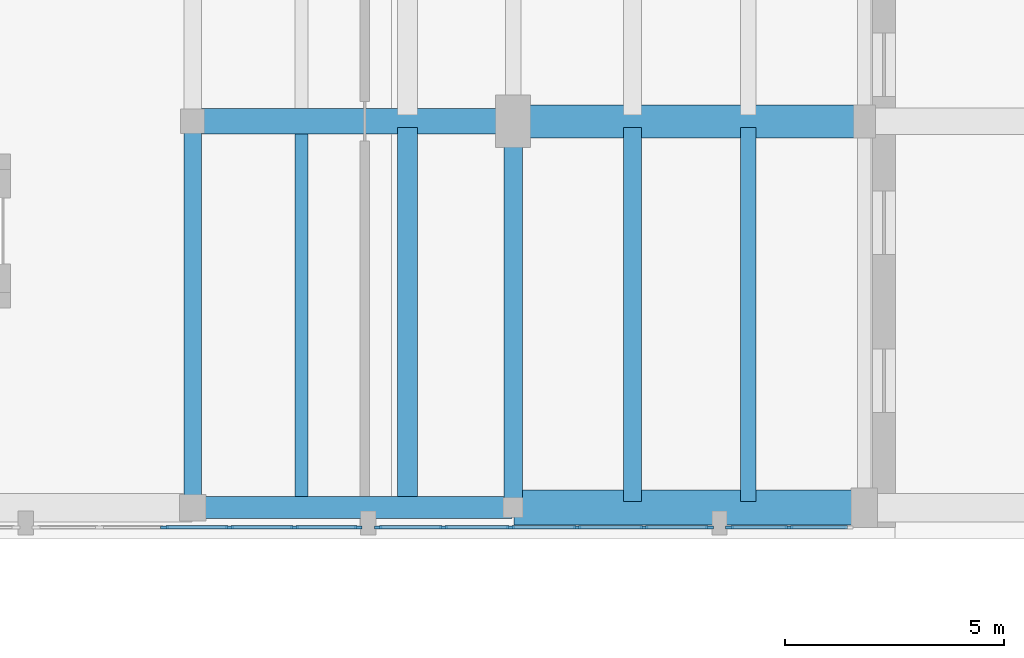
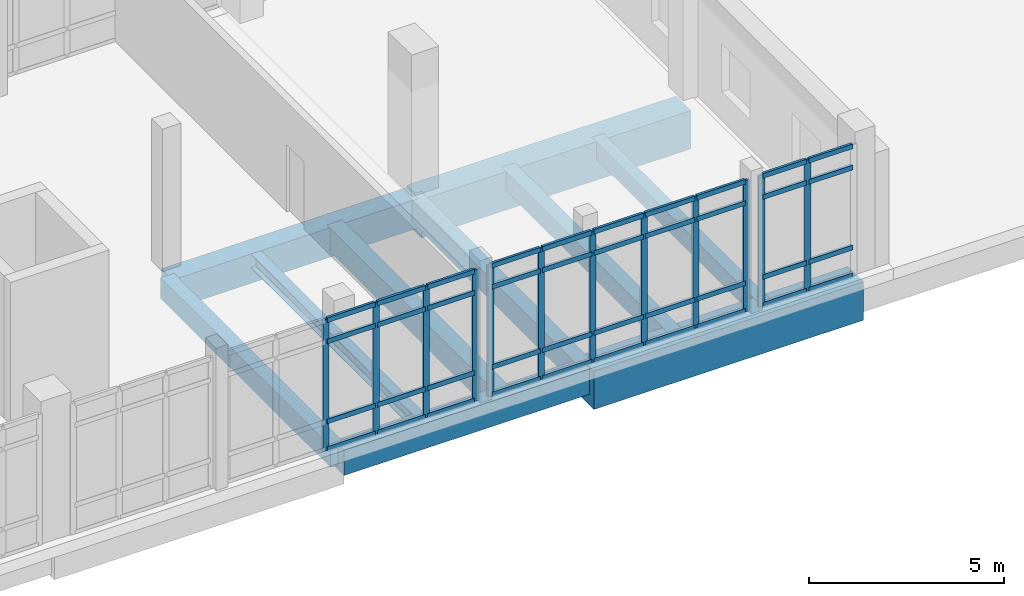
# One storey, part 43 of 89: 52 members, 10 beams, 3 elements without a shape of their own.
"""IFC4 building model written with IfcOpenShell, lengths in metres."""

from ifc_helpers import new_model, si_unit, direction, frame, origin, origin_2d, place, context, subcontext, project, spatial, rectangle, i_section, extrude, material, material_profile, profile_set, type_object, element, aggregate, save


model = new_model("IFC4")

# Units and contexts
model_context = context("Model", 3, precision=1e-05, world=origin(), true_north=direction((0.0, 1.0)))
body_context = subcontext(model_context, "Body", "Model", "MODEL_VIEW")
ifc_project = project(units=[si_unit("LENGTHUNIT", "METRE"), si_unit("AREAUNIT", "SQUARE_METRE"), si_unit("VOLUMEUNIT", "CUBIC_METRE"), si_unit("PLANEANGLEUNIT", "RADIAN"), si_unit("MASSUNIT", "GRAM", prefix="KILO")], contexts=[model_context])

# Site, building, storey
site_placement = place(None, origin())
site = spatial("IfcSite", under=ifc_project, at=site_placement, CompositionType="ELEMENT")
building_placement = place(site_placement, origin())
building = spatial("IfcBuilding", under=site, at=building_placement, Name="Soyqirgoq Riverine Aquarium", CompositionType="ELEMENT")
storey_placement = place(building_placement, frame((0.0, 0.0, 5.39990234375)))
storey = spatial("IfcBuildingStorey", under=building, at=storey_placement, Name="L02", CompositionType="ELEMENT", Elevation=5.39990234375)

# Beams
ifc_material_1 = material(Name="Concrete C40/50", Category="concrete")
ifc_material_profile_1 = material_profile(ifc_material_1, rectangle(XDim=0.39990234375, YDim=0.60009765625, at=origin_2d()), Name="RC 400x600")
ifc_profile_set_1 = profile_set([ifc_material_profile_1], Name="Concrete C40/50")
beam_type_1 = type_object("IfcBeamType", Name="Beam_RC_400x600", PredefinedType="JOIST", material=ifc_profile_set_1)
beam_1_placement = place(storey_placement, frame((148.02001953125, 56.840087890625, -0.64990234375), z_axis=(0.0, 1.0, 0.0), x_axis=(-1.0, 0.0, 0.0)))
element("IfcBeam", 1, at=beam_1_placement, inside=storey, type_object=beam_type_1, Name="V7 L02 Secondary Bay Joist 1341", PredefinedType="JOIST", context=body_context, shape_type="SweptSolid", body=[
    extrude(rectangle(XDim=0.39990234375, YDim=0.60009765625, at=origin_2d()), origin(), (0.0, 0.0, 1.0), 8.52001953125),
])
ifc_material_2 = material(Name="Concrete C40/50", Category="concrete")
ifc_material_profile_2 = material_profile(ifc_material_2, rectangle(XDim=0.39990234375, YDim=0.64990234375, at=origin_2d()), Name="RC 400x650")
ifc_profile_set_2 = profile_set([ifc_material_profile_2], Name="Concrete C40/50")
beam_type_2 = type_object("IfcBeamType", Name="Beam_RC_400x650", PredefinedType="BEAM", material=ifc_profile_set_2)
beam_2_placement = place(storey_placement, frame((138.0, 56.75, -0.6748046875), z_axis=(0.0, 1.0, 0.0), x_axis=(-1.0, 0.0, 0.0)))
element("IfcBeam", 2, at=beam_2_placement, inside=storey, type_object=beam_type_2, Name="V7 L02 North-South Frame Beam 1320", PredefinedType="BEAM", context=body_context, shape_type="SweptSolid", body=[
    extrude(rectangle(XDim=0.39990234375, YDim=0.64990234375, at=origin_2d()), origin(), (0.0, 0.0, 1.0), 8.699951171875),
])
ifc_material_3 = material(Name="Concrete C40/50", Category="concrete")
ifc_material_profile_3 = material_profile(ifc_material_3, rectangle(XDim=0.419921875, YDim=0.679931640625, at=origin_2d()), Name="RC 420x680")
ifc_profile_set_3 = profile_set([ifc_material_profile_3], Name="Concrete C40/50")
beam_type_3 = type_object("IfcBeamType", Name="Beam_RC_420x680", PredefinedType="BEAM", material=ifc_profile_set_3)
beam_3_placement = place(storey_placement, frame((145.300048828125, 56.75, -0.68994140625), z_axis=(0.0, 1.0, 0.0), x_axis=(-1.0, 0.0, 0.0)))
element("IfcBeam", 3, at=beam_3_placement, inside=storey, type_object=beam_type_3, Name="V7 L02 North-South Frame Beam 1325", PredefinedType="BEAM", context=body_context, shape_type="SweptSolid", body=[
    extrude(rectangle(XDim=0.419921875, YDim=0.679931640625, at=origin_2d()), origin(), (0.0, 0.0, 1.0), 8.699951171875),
])
ifc_material_4 = material(Name="Concrete C40/50", Category="concrete")
ifc_material_profile_4 = material_profile(ifc_material_4, rectangle(XDim=0.449951171875, YDim=0.75, at=origin_2d()), Name="RC 450x750")
ifc_profile_set_4 = profile_set([ifc_material_profile_4], Name="Concrete C40/50")
beam_type_4 = type_object("IfcBeamType", Name="Beam_RC_450x750", PredefinedType="BEAM", material=ifc_profile_set_4)
beam_4_placement = place(storey_placement, frame((142.89111328125, 56.840087890625, -0.724853515625), z_axis=(0.0, 1.0, 0.0), x_axis=(-1.0, 0.0, 0.0)))
element("IfcBeam", 4, at=beam_4_placement, inside=storey, type_object=beam_type_4, Name="V7 L02 Secondary Bay Joist 1340", PredefinedType="BEAM", context=body_context, shape_type="SweptSolid", body=[
    extrude(rectangle(XDim=0.449951171875, YDim=0.75, at=origin_2d()), origin(), (0.0, 0.0, 1.0), 8.52001953125),
])

# Curtain wall, members
ifc_material_5 = material(Name="Anodised aluminium thermally broken gallery curtain wall", Category="aluminium")
curtain_wall_type = type_object("IfcCurtainWallType", Name="CW_Pavilion_Ribbon", PredefinedType="NOTDEFINED", material=ifc_material_5)
curtain_wall_1_placement = place(storey_placement, origin())
curtain_wall_1 = element("IfcCurtainWall", 5, at=curtain_wall_1_placement, inside=storey, type_object=curtain_wall_type, Name="V7 L02 Curtain Wall 125", PredefinedType="NOTDEFINED")
ifc_material_6 = material(Name="Anodised aluminium 6063-T6", Category="aluminium")
ifc_material_profile_5 = material_profile(ifc_material_6, rectangle(XDim=0.06494140625, YDim=0.179931640625, at=origin_2d()), Name="ALU-M 65x180")
ifc_profile_set_5 = profile_set([ifc_material_profile_5], Name="Anodised aluminium 6063-T6")
member_type_1 = type_object("IfcMemberType", Name="CWMullion_65x180", PredefinedType="MULLION", material=ifc_profile_set_5)
member_1_placement = place(storey_placement, frame((151.58740234375, 56.25, 0.0), z_axis=(0.0, 0.0, 1.0), x_axis=(0.0, -1.0, 0.0)))
member_1 = element("IfcMember", 6, at=member_1_placement, type_object=member_type_1, Name="CW-05 mullion 2", PredefinedType="MULLION", context=body_context, shape_type="SweptSolid", body=[
    extrude(rectangle(XDim=0.06494140625, YDim=0.179931640625, at=origin_2d()), origin(), (0.0, 0.0, 1.0), 4.10009765625),
])
member_2_placement = place(storey_placement, frame((150.2275390625, 56.25, 0.0), z_axis=(0.0, 0.0, 1.0), x_axis=(0.0, -1.0, 0.0)))
member_2 = element("IfcMember", 7, at=member_2_placement, type_object=member_type_1, Name="CW-05 mullion 3", PredefinedType="MULLION", context=body_context, shape_type="SweptSolid", body=[
    extrude(rectangle(XDim=0.06494140625, YDim=0.179931640625, at=origin_2d()), origin(), (0.0, 0.0, 1.0), 4.10009765625),
])

curtain_wall_2_placement = place(storey_placement, origin())
curtain_wall_2 = element("IfcCurtainWall", 8, at=curtain_wall_2_placement, inside=storey, type_object=curtain_wall_type, Name="V7 L02 Curtain Wall 126", PredefinedType="NOTDEFINED")
member_3_placement = place(storey_placement, frame((149.7724609375, 56.25, 0.0), z_axis=(0.0, 0.0, 1.0), x_axis=(0.0, -1.0, 0.0)))
member_3 = element("IfcMember", 9, at=member_3_placement, type_object=member_type_1, Name="CW-05 mullion 1", PredefinedType="MULLION", context=body_context, shape_type="SweptSolid", body=[
    extrude(rectangle(XDim=0.06494140625, YDim=0.179931640625, at=origin_2d()), origin(), (0.0, 0.0, 1.0), 4.10009765625),
])
member_4_placement = place(storey_placement, frame((148.282958984375, 56.25, 0.0), z_axis=(0.0, 0.0, 1.0), x_axis=(0.0, -1.0, 0.0)))
member_4 = element("IfcMember", 10, at=member_4_placement, type_object=member_type_1, Name="CW-05 mullion 2", PredefinedType="MULLION", context=body_context, shape_type="SweptSolid", body=[
    extrude(rectangle(XDim=0.06494140625, YDim=0.179931640625, at=origin_2d()), origin(), (0.0, 0.0, 1.0), 4.10009765625),
])
member_5_placement = place(storey_placement, frame((146.760986328125, 56.25, 0.0), z_axis=(0.0, 0.0, 1.0), x_axis=(0.0, -1.0, 0.0)))
member_5 = element("IfcMember", 11, at=member_5_placement, type_object=member_type_1, Name="CW-05 mullion 3", PredefinedType="MULLION", context=body_context, shape_type="SweptSolid", body=[
    extrude(rectangle(XDim=0.06494140625, YDim=0.179931640625, at=origin_2d()), origin(), (0.0, 0.0, 1.0), 4.10009765625),
])
member_6_placement = place(storey_placement, frame((145.239013671875, 56.25, 0.0), z_axis=(0.0, 0.0, 1.0), x_axis=(0.0, -1.0, 0.0)))
member_6 = element("IfcMember", 12, at=member_6_placement, type_object=member_type_1, Name="CW-05 mullion 4", PredefinedType="MULLION", context=body_context, shape_type="SweptSolid", body=[
    extrude(rectangle(XDim=0.06494140625, YDim=0.179931640625, at=origin_2d()), origin(), (0.0, 0.0, 1.0), 4.10009765625),
])
member_7_placement = place(storey_placement, frame((143.717041015625, 56.25, 0.0), z_axis=(0.0, 0.0, 1.0), x_axis=(0.0, -1.0, 0.0)))
member_7 = element("IfcMember", 13, at=member_7_placement, type_object=member_type_1, Name="CW-05 mullion 5", PredefinedType="MULLION", context=body_context, shape_type="SweptSolid", body=[
    extrude(rectangle(XDim=0.06494140625, YDim=0.179931640625, at=origin_2d()), origin(), (0.0, 0.0, 1.0), 4.10009765625),
])
member_8_placement = place(storey_placement, frame((142.2275390625, 56.25, 0.0), z_axis=(0.0, 0.0, 1.0), x_axis=(0.0, -1.0, 0.0)))
member_8 = element("IfcMember", 14, at=member_8_placement, type_object=member_type_1, Name="CW-05 mullion 6", PredefinedType="MULLION", context=body_context, shape_type="SweptSolid", body=[
    extrude(rectangle(XDim=0.06494140625, YDim=0.179931640625, at=origin_2d()), origin(), (0.0, 0.0, 1.0), 4.10009765625),
])

curtain_wall_3_placement = place(storey_placement, origin())
curtain_wall_3 = element("IfcCurtainWall", 15, at=curtain_wall_3_placement, inside=storey, type_object=curtain_wall_type, Name="V7 L02 Curtain Wall 127", PredefinedType="NOTDEFINED")
member_9_placement = place(storey_placement, frame((141.7724609375, 56.25, 0.0), z_axis=(0.0, 0.0, 1.0), x_axis=(0.0, -1.0, 0.0)))
member_9 = element("IfcMember", 16, at=member_9_placement, type_object=member_type_1, Name="CW-05 mullion 1", PredefinedType="MULLION", context=body_context, shape_type="SweptSolid", body=[
    extrude(rectangle(XDim=0.06494140625, YDim=0.179931640625, at=origin_2d()), origin(), (0.0, 0.0, 1.0), 4.10009765625),
])
member_10_placement = place(storey_placement, frame((140.322998046875, 56.25, 0.0), z_axis=(0.0, 0.0, 1.0), x_axis=(0.0, -1.0, 0.0)))
member_10 = element("IfcMember", 17, at=member_10_placement, type_object=member_type_1, Name="CW-05 mullion 2", PredefinedType="MULLION", context=body_context, shape_type="SweptSolid", body=[
    extrude(rectangle(XDim=0.06494140625, YDim=0.179931640625, at=origin_2d()), origin(), (0.0, 0.0, 1.0), 4.10009765625),
])
member_11_placement = place(storey_placement, frame((138.841064453125, 56.25, 0.0), z_axis=(0.0, 0.0, 1.0), x_axis=(0.0, -1.0, 0.0)))
member_11 = element("IfcMember", 18, at=member_11_placement, type_object=member_type_1, Name="CW-05 mullion 3", PredefinedType="MULLION", context=body_context, shape_type="SweptSolid", body=[
    extrude(rectangle(XDim=0.06494140625, YDim=0.179931640625, at=origin_2d()), origin(), (0.0, 0.0, 1.0), 4.10009765625),
])
member_12_placement = place(storey_placement, frame((137.35888671875, 56.25, 0.0), z_axis=(0.0, 0.0, 1.0), x_axis=(0.0, -1.0, 0.0)))
member_12 = element("IfcMember", 19, at=member_12_placement, type_object=member_type_1, Name="CW-05 mullion 4", PredefinedType="MULLION", context=body_context, shape_type="SweptSolid", body=[
    extrude(rectangle(XDim=0.06494140625, YDim=0.179931640625, at=origin_2d()), origin(), (0.0, 0.0, 1.0), 4.10009765625),
])

# Member
ifc_material_7 = material(Name="Anodised aluminium 6063-T6", Category="aluminium")
ifc_material_profile_6 = material_profile(ifc_material_7, rectangle(XDim=0.074951171875, YDim=0.14990234375, at=origin_2d()), Name="ALU-T 75x150")
ifc_profile_set_6 = profile_set([ifc_material_profile_6], Name="Anodised aluminium 6063-T6")
member_type_2 = type_object("IfcMemberType", Name="CWTransom_75x150", PredefinedType="USERDEFINED", material=ifc_profile_set_6)
member_13_placement = place(storey_placement, frame((152.9150390625, 56.25, 0.03759765625), z_axis=(-1.0, 0.0, 0.0), x_axis=(0.0, -1.0, 0.0)))
member_13 = element("IfcMember", 20, at=member_13_placement, type_object=member_type_2, Name="CW-05 transom 1.1", ObjectType="TRANSOM", PredefinedType="USERDEFINED", context=body_context, shape_type="SweptSolid", body=[
    extrude(rectangle(XDim=0.074951171875, YDim=0.14990234375, at=origin_2d()), origin(), (0.0, 0.0, 1.0), 1.294921875),
])

member_14_placement = place(storey_placement, frame((152.9150390625, 56.25, 0.900146484375), z_axis=(-1.0, 0.0, 0.0), x_axis=(0.0, -1.0, 0.0)))
member_14 = element("IfcMember", 21, at=member_14_placement, type_object=member_type_2, Name="CW-05 transom 1.2", ObjectType="TRANSOM", PredefinedType="USERDEFINED", context=body_context, shape_type="SweptSolid", body=[
    extrude(rectangle(XDim=0.074951171875, YDim=0.14990234375, at=origin_2d()), origin(), (0.0, 0.0, 1.0), 1.294921875),
])

member_15_placement = place(storey_placement, frame((152.9150390625, 56.25, 3.400146484375), z_axis=(-1.0, 0.0, 0.0), x_axis=(0.0, -1.0, 0.0)))
member_15 = element("IfcMember", 22, at=member_15_placement, type_object=member_type_2, Name="CW-05 transom 1.3", ObjectType="TRANSOM", PredefinedType="USERDEFINED", context=body_context, shape_type="SweptSolid", body=[
    extrude(rectangle(XDim=0.074951171875, YDim=0.14990234375, at=origin_2d()), origin(), (0.0, 0.0, 1.0), 1.294921875),
])

member_16_placement = place(storey_placement, frame((152.9150390625, 56.25, 4.0625), z_axis=(-1.0, 0.0, 0.0), x_axis=(0.0, -1.0, 0.0)))
member_16 = element("IfcMember", 23, at=member_16_placement, type_object=member_type_2, Name="CW-05 transom 1.4", ObjectType="TRANSOM", PredefinedType="USERDEFINED", context=body_context, shape_type="SweptSolid", body=[
    extrude(rectangle(XDim=0.074951171875, YDim=0.14990234375, at=origin_2d()), origin(), (0.0, 0.0, 1.0), 1.294921875),
])

member_17_placement = place(storey_placement, frame((151.554931640625, 56.25, 0.03759765625), z_axis=(-1.0, 0.0, 0.0), x_axis=(0.0, -1.0, 0.0)))
member_17 = element("IfcMember", 24, at=member_17_placement, type_object=member_type_2, Name="CW-05 transom 2.1", ObjectType="TRANSOM", PredefinedType="USERDEFINED", context=body_context, shape_type="SweptSolid", body=[
    extrude(rectangle(XDim=0.074951171875, YDim=0.14990234375, at=origin_2d()), origin(), (0.0, 0.0, 1.0), 1.294921875),
])

member_18_placement = place(storey_placement, frame((151.554931640625, 56.25, 0.900146484375), z_axis=(-1.0, 0.0, 0.0), x_axis=(0.0, -1.0, 0.0)))
member_18 = element("IfcMember", 25, at=member_18_placement, type_object=member_type_2, Name="CW-05 transom 2.2", ObjectType="TRANSOM", PredefinedType="USERDEFINED", context=body_context, shape_type="SweptSolid", body=[
    extrude(rectangle(XDim=0.074951171875, YDim=0.14990234375, at=origin_2d()), origin(), (0.0, 0.0, 1.0), 1.294921875),
])

member_19_placement = place(storey_placement, frame((151.554931640625, 56.25, 3.400146484375), z_axis=(-1.0, 0.0, 0.0), x_axis=(0.0, -1.0, 0.0)))
member_19 = element("IfcMember", 26, at=member_19_placement, type_object=member_type_2, Name="CW-05 transom 2.3", ObjectType="TRANSOM", PredefinedType="USERDEFINED", context=body_context, shape_type="SweptSolid", body=[
    extrude(rectangle(XDim=0.074951171875, YDim=0.14990234375, at=origin_2d()), origin(), (0.0, 0.0, 1.0), 1.294921875),
])

member_20_placement = place(storey_placement, frame((151.554931640625, 56.25, 4.0625), z_axis=(-1.0, 0.0, 0.0), x_axis=(0.0, -1.0, 0.0)))
member_20 = element("IfcMember", 27, at=member_20_placement, type_object=member_type_2, Name="CW-05 transom 2.4", ObjectType="TRANSOM", PredefinedType="USERDEFINED", context=body_context, shape_type="SweptSolid", body=[
    extrude(rectangle(XDim=0.074951171875, YDim=0.14990234375, at=origin_2d()), origin(), (0.0, 0.0, 1.0), 1.294921875),
])

aggregate(curtain_wall_1, [member_1, member_2, member_13, member_14, member_15, member_16, member_17, member_18, member_19, member_20])

member_21_placement = place(storey_placement, frame((149.739990234375, 56.25, 0.03759765625), z_axis=(-1.0, 0.0, 0.0), x_axis=(0.0, -1.0, 0.0)))
member_21 = element("IfcMember", 28, at=member_21_placement, type_object=member_type_2, Name="CW-05 transom 1.1", ObjectType="TRANSOM", PredefinedType="USERDEFINED", context=body_context, shape_type="SweptSolid", body=[
    extrude(rectangle(XDim=0.074951171875, YDim=0.14990234375, at=origin_2d()), origin(), (0.0, 0.0, 1.0), 1.424560546875),
])

member_22_placement = place(storey_placement, frame((149.739990234375, 56.25, 0.900146484375), z_axis=(-1.0, 0.0, 0.0), x_axis=(0.0, -1.0, 0.0)))
member_22 = element("IfcMember", 29, at=member_22_placement, type_object=member_type_2, Name="CW-05 transom 1.2", ObjectType="TRANSOM", PredefinedType="USERDEFINED", context=body_context, shape_type="SweptSolid", body=[
    extrude(rectangle(XDim=0.074951171875, YDim=0.14990234375, at=origin_2d()), origin(), (0.0, 0.0, 1.0), 1.424560546875),
])

member_23_placement = place(storey_placement, frame((149.739990234375, 56.25, 3.400146484375), z_axis=(-1.0, 0.0, 0.0), x_axis=(0.0, -1.0, 0.0)))
member_23 = element("IfcMember", 30, at=member_23_placement, type_object=member_type_2, Name="CW-05 transom 1.3", ObjectType="TRANSOM", PredefinedType="USERDEFINED", context=body_context, shape_type="SweptSolid", body=[
    extrude(rectangle(XDim=0.074951171875, YDim=0.14990234375, at=origin_2d()), origin(), (0.0, 0.0, 1.0), 1.424560546875),
])

member_24_placement = place(storey_placement, frame((149.739990234375, 56.25, 4.0625), z_axis=(-1.0, 0.0, 0.0), x_axis=(0.0, -1.0, 0.0)))
member_24 = element("IfcMember", 31, at=member_24_placement, type_object=member_type_2, Name="CW-05 transom 1.4", ObjectType="TRANSOM", PredefinedType="USERDEFINED", context=body_context, shape_type="SweptSolid", body=[
    extrude(rectangle(XDim=0.074951171875, YDim=0.14990234375, at=origin_2d()), origin(), (0.0, 0.0, 1.0), 1.424560546875),
])

member_25_placement = place(storey_placement, frame((148.25048828125, 56.25, 0.03759765625), z_axis=(-1.0, 0.0, 0.0), x_axis=(0.0, -1.0, 0.0)))
member_25 = element("IfcMember", 32, at=member_25_placement, type_object=member_type_2, Name="CW-05 transom 2.1", ObjectType="TRANSOM", PredefinedType="USERDEFINED", context=body_context, shape_type="SweptSolid", body=[
    extrude(rectangle(XDim=0.074951171875, YDim=0.14990234375, at=origin_2d()), origin(), (0.0, 0.0, 1.0), 1.45703125),
])

member_26_placement = place(storey_placement, frame((148.25048828125, 56.25, 0.900146484375), z_axis=(-1.0, 0.0, 0.0), x_axis=(0.0, -1.0, 0.0)))
member_26 = element("IfcMember", 33, at=member_26_placement, type_object=member_type_2, Name="CW-05 transom 2.2", ObjectType="TRANSOM", PredefinedType="USERDEFINED", context=body_context, shape_type="SweptSolid", body=[
    extrude(rectangle(XDim=0.074951171875, YDim=0.14990234375, at=origin_2d()), origin(), (0.0, 0.0, 1.0), 1.45703125),
])

member_27_placement = place(storey_placement, frame((148.25048828125, 56.25, 3.400146484375), z_axis=(-1.0, 0.0, 0.0), x_axis=(0.0, -1.0, 0.0)))
member_27 = element("IfcMember", 34, at=member_27_placement, type_object=member_type_2, Name="CW-05 transom 2.3", ObjectType="TRANSOM", PredefinedType="USERDEFINED", context=body_context, shape_type="SweptSolid", body=[
    extrude(rectangle(XDim=0.074951171875, YDim=0.14990234375, at=origin_2d()), origin(), (0.0, 0.0, 1.0), 1.45703125),
])

member_28_placement = place(storey_placement, frame((148.25048828125, 56.25, 4.0625), z_axis=(-1.0, 0.0, 0.0), x_axis=(0.0, -1.0, 0.0)))
member_28 = element("IfcMember", 35, at=member_28_placement, type_object=member_type_2, Name="CW-05 transom 2.4", ObjectType="TRANSOM", PredefinedType="USERDEFINED", context=body_context, shape_type="SweptSolid", body=[
    extrude(rectangle(XDim=0.074951171875, YDim=0.14990234375, at=origin_2d()), origin(), (0.0, 0.0, 1.0), 1.45703125),
])

member_29_placement = place(storey_placement, frame((146.728515625, 56.25, 0.03759765625), z_axis=(-1.0, 0.0, 0.0), x_axis=(0.0, -1.0, 0.0)))
member_29 = element("IfcMember", 36, at=member_29_placement, type_object=member_type_2, Name="CW-05 transom 3.1", ObjectType="TRANSOM", PredefinedType="USERDEFINED", context=body_context, shape_type="SweptSolid", body=[
    extrude(rectangle(XDim=0.074951171875, YDim=0.14990234375, at=origin_2d()), origin(), (0.0, 0.0, 1.0), 1.45703125),
])

member_30_placement = place(storey_placement, frame((146.728515625, 56.25, 0.900146484375), z_axis=(-1.0, 0.0, 0.0), x_axis=(0.0, -1.0, 0.0)))
member_30 = element("IfcMember", 37, at=member_30_placement, type_object=member_type_2, Name="CW-05 transom 3.2", ObjectType="TRANSOM", PredefinedType="USERDEFINED", context=body_context, shape_type="SweptSolid", body=[
    extrude(rectangle(XDim=0.074951171875, YDim=0.14990234375, at=origin_2d()), origin(), (0.0, 0.0, 1.0), 1.45703125),
])

member_31_placement = place(storey_placement, frame((146.728515625, 56.25, 3.400146484375), z_axis=(-1.0, 0.0, 0.0), x_axis=(0.0, -1.0, 0.0)))
member_31 = element("IfcMember", 38, at=member_31_placement, type_object=member_type_2, Name="CW-05 transom 3.3", ObjectType="TRANSOM", PredefinedType="USERDEFINED", context=body_context, shape_type="SweptSolid", body=[
    extrude(rectangle(XDim=0.074951171875, YDim=0.14990234375, at=origin_2d()), origin(), (0.0, 0.0, 1.0), 1.45703125),
])

member_32_placement = place(storey_placement, frame((146.728515625, 56.25, 4.0625), z_axis=(-1.0, 0.0, 0.0), x_axis=(0.0, -1.0, 0.0)))
member_32 = element("IfcMember", 39, at=member_32_placement, type_object=member_type_2, Name="CW-05 transom 3.4", ObjectType="TRANSOM", PredefinedType="USERDEFINED", context=body_context, shape_type="SweptSolid", body=[
    extrude(rectangle(XDim=0.074951171875, YDim=0.14990234375, at=origin_2d()), origin(), (0.0, 0.0, 1.0), 1.45703125),
])

member_33_placement = place(storey_placement, frame((145.20654296875, 56.25, 0.03759765625), z_axis=(-1.0, 0.0, 0.0), x_axis=(0.0, -1.0, 0.0)))
member_33 = element("IfcMember", 40, at=member_33_placement, type_object=member_type_2, Name="CW-05 transom 4.1", ObjectType="TRANSOM", PredefinedType="USERDEFINED", context=body_context, shape_type="SweptSolid", body=[
    extrude(rectangle(XDim=0.074951171875, YDim=0.14990234375, at=origin_2d()), origin(), (0.0, 0.0, 1.0), 1.45703125),
])

member_34_placement = place(storey_placement, frame((145.20654296875, 56.25, 0.900146484375), z_axis=(-1.0, 0.0, 0.0), x_axis=(0.0, -1.0, 0.0)))
member_34 = element("IfcMember", 41, at=member_34_placement, type_object=member_type_2, Name="CW-05 transom 4.2", ObjectType="TRANSOM", PredefinedType="USERDEFINED", context=body_context, shape_type="SweptSolid", body=[
    extrude(rectangle(XDim=0.074951171875, YDim=0.14990234375, at=origin_2d()), origin(), (0.0, 0.0, 1.0), 1.45703125),
])

member_35_placement = place(storey_placement, frame((145.20654296875, 56.25, 3.400146484375), z_axis=(-1.0, 0.0, 0.0), x_axis=(0.0, -1.0, 0.0)))
member_35 = element("IfcMember", 42, at=member_35_placement, type_object=member_type_2, Name="CW-05 transom 4.3", ObjectType="TRANSOM", PredefinedType="USERDEFINED", context=body_context, shape_type="SweptSolid", body=[
    extrude(rectangle(XDim=0.074951171875, YDim=0.14990234375, at=origin_2d()), origin(), (0.0, 0.0, 1.0), 1.45703125),
])

member_36_placement = place(storey_placement, frame((145.20654296875, 56.25, 4.0625), z_axis=(-1.0, 0.0, 0.0), x_axis=(0.0, -1.0, 0.0)))
member_36 = element("IfcMember", 43, at=member_36_placement, type_object=member_type_2, Name="CW-05 transom 4.4", ObjectType="TRANSOM", PredefinedType="USERDEFINED", context=body_context, shape_type="SweptSolid", body=[
    extrude(rectangle(XDim=0.074951171875, YDim=0.14990234375, at=origin_2d()), origin(), (0.0, 0.0, 1.0), 1.45703125),
])

member_37_placement = place(storey_placement, frame((143.6845703125, 56.25, 0.03759765625), z_axis=(-1.0, 0.0, 0.0), x_axis=(0.0, -1.0, 0.0)))
member_37 = element("IfcMember", 44, at=member_37_placement, type_object=member_type_2, Name="CW-05 transom 5.1", ObjectType="TRANSOM", PredefinedType="USERDEFINED", context=body_context, shape_type="SweptSolid", body=[
    extrude(rectangle(XDim=0.074951171875, YDim=0.14990234375, at=origin_2d()), origin(), (0.0, 0.0, 1.0), 1.424560546875),
])

member_38_placement = place(storey_placement, frame((143.6845703125, 56.25, 0.900146484375), z_axis=(-1.0, 0.0, 0.0), x_axis=(0.0, -1.0, 0.0)))
member_38 = element("IfcMember", 45, at=member_38_placement, type_object=member_type_2, Name="CW-05 transom 5.2", ObjectType="TRANSOM", PredefinedType="USERDEFINED", context=body_context, shape_type="SweptSolid", body=[
    extrude(rectangle(XDim=0.074951171875, YDim=0.14990234375, at=origin_2d()), origin(), (0.0, 0.0, 1.0), 1.424560546875),
])

member_39_placement = place(storey_placement, frame((143.6845703125, 56.25, 3.400146484375), z_axis=(-1.0, 0.0, 0.0), x_axis=(0.0, -1.0, 0.0)))
member_39 = element("IfcMember", 46, at=member_39_placement, type_object=member_type_2, Name="CW-05 transom 5.3", ObjectType="TRANSOM", PredefinedType="USERDEFINED", context=body_context, shape_type="SweptSolid", body=[
    extrude(rectangle(XDim=0.074951171875, YDim=0.14990234375, at=origin_2d()), origin(), (0.0, 0.0, 1.0), 1.424560546875),
])

member_40_placement = place(storey_placement, frame((143.6845703125, 56.25, 4.0625), z_axis=(-1.0, 0.0, 0.0), x_axis=(0.0, -1.0, 0.0)))
member_40 = element("IfcMember", 47, at=member_40_placement, type_object=member_type_2, Name="CW-05 transom 5.4", ObjectType="TRANSOM", PredefinedType="USERDEFINED", context=body_context, shape_type="SweptSolid", body=[
    extrude(rectangle(XDim=0.074951171875, YDim=0.14990234375, at=origin_2d()), origin(), (0.0, 0.0, 1.0), 1.424560546875),
])

aggregate(curtain_wall_2, [member_3, member_4, member_5, member_6, member_7, member_8, member_21, member_22, member_23, member_24, member_25, member_26, member_27, member_28, member_29, member_30, member_31, member_32, member_33, member_34, member_35, member_36, member_37, member_38, member_39, member_40])

member_41_placement = place(storey_placement, frame((141.739990234375, 56.25, 0.03759765625), z_axis=(-1.0, 0.0, 0.0), x_axis=(0.0, -1.0, 0.0)))
member_41 = element("IfcMember", 48, at=member_41_placement, type_object=member_type_2, Name="CW-05 transom 1.1", ObjectType="TRANSOM", PredefinedType="USERDEFINED", context=body_context, shape_type="SweptSolid", body=[
    extrude(rectangle(XDim=0.074951171875, YDim=0.14990234375, at=origin_2d()), origin(), (0.0, 0.0, 1.0), 1.384521484375),
])

member_42_placement = place(storey_placement, frame((141.739990234375, 56.25, 0.900146484375), z_axis=(-1.0, 0.0, 0.0), x_axis=(0.0, -1.0, 0.0)))
member_42 = element("IfcMember", 49, at=member_42_placement, type_object=member_type_2, Name="CW-05 transom 1.2", ObjectType="TRANSOM", PredefinedType="USERDEFINED", context=body_context, shape_type="SweptSolid", body=[
    extrude(rectangle(XDim=0.074951171875, YDim=0.14990234375, at=origin_2d()), origin(), (0.0, 0.0, 1.0), 1.384521484375),
])

member_43_placement = place(storey_placement, frame((141.739990234375, 56.25, 3.400146484375), z_axis=(-1.0, 0.0, 0.0), x_axis=(0.0, -1.0, 0.0)))
member_43 = element("IfcMember", 50, at=member_43_placement, type_object=member_type_2, Name="CW-05 transom 1.3", ObjectType="TRANSOM", PredefinedType="USERDEFINED", context=body_context, shape_type="SweptSolid", body=[
    extrude(rectangle(XDim=0.074951171875, YDim=0.14990234375, at=origin_2d()), origin(), (0.0, 0.0, 1.0), 1.384521484375),
])

member_44_placement = place(storey_placement, frame((141.739990234375, 56.25, 4.0625), z_axis=(-1.0, 0.0, 0.0), x_axis=(0.0, -1.0, 0.0)))
member_44 = element("IfcMember", 51, at=member_44_placement, type_object=member_type_2, Name="CW-05 transom 1.4", ObjectType="TRANSOM", PredefinedType="USERDEFINED", context=body_context, shape_type="SweptSolid", body=[
    extrude(rectangle(XDim=0.074951171875, YDim=0.14990234375, at=origin_2d()), origin(), (0.0, 0.0, 1.0), 1.384521484375),
])

member_45_placement = place(storey_placement, frame((140.29052734375, 56.25, 0.03759765625), z_axis=(-1.0, 0.0, 0.0), x_axis=(0.0, -1.0, 0.0)))
member_45 = element("IfcMember", 52, at=member_45_placement, type_object=member_type_2, Name="CW-05 transom 2.1", ObjectType="TRANSOM", PredefinedType="USERDEFINED", context=body_context, shape_type="SweptSolid", body=[
    extrude(rectangle(XDim=0.074951171875, YDim=0.14990234375, at=origin_2d()), origin(), (0.0, 0.0, 1.0), 1.4169921875),
])

member_46_placement = place(storey_placement, frame((140.29052734375, 56.25, 0.900146484375), z_axis=(-1.0, 0.0, 0.0), x_axis=(0.0, -1.0, 0.0)))
member_46 = element("IfcMember", 53, at=member_46_placement, type_object=member_type_2, Name="CW-05 transom 2.2", ObjectType="TRANSOM", PredefinedType="USERDEFINED", context=body_context, shape_type="SweptSolid", body=[
    extrude(rectangle(XDim=0.074951171875, YDim=0.14990234375, at=origin_2d()), origin(), (0.0, 0.0, 1.0), 1.4169921875),
])

member_47_placement = place(storey_placement, frame((140.29052734375, 56.25, 3.400146484375), z_axis=(-1.0, 0.0, 0.0), x_axis=(0.0, -1.0, 0.0)))
member_47 = element("IfcMember", 54, at=member_47_placement, type_object=member_type_2, Name="CW-05 transom 2.3", ObjectType="TRANSOM", PredefinedType="USERDEFINED", context=body_context, shape_type="SweptSolid", body=[
    extrude(rectangle(XDim=0.074951171875, YDim=0.14990234375, at=origin_2d()), origin(), (0.0, 0.0, 1.0), 1.4169921875),
])

member_48_placement = place(storey_placement, frame((140.29052734375, 56.25, 4.0625), z_axis=(-1.0, 0.0, 0.0), x_axis=(0.0, -1.0, 0.0)))
member_48 = element("IfcMember", 55, at=member_48_placement, type_object=member_type_2, Name="CW-05 transom 2.4", ObjectType="TRANSOM", PredefinedType="USERDEFINED", context=body_context, shape_type="SweptSolid", body=[
    extrude(rectangle(XDim=0.074951171875, YDim=0.14990234375, at=origin_2d()), origin(), (0.0, 0.0, 1.0), 1.4169921875),
])

member_49_placement = place(storey_placement, frame((138.80859375, 56.25, 0.03759765625), z_axis=(-1.0, 0.0, 0.0), x_axis=(0.0, -1.0, 0.0)))
member_49 = element("IfcMember", 56, at=member_49_placement, type_object=member_type_2, Name="CW-05 transom 3.1", ObjectType="TRANSOM", PredefinedType="USERDEFINED", context=body_context, shape_type="SweptSolid", body=[
    extrude(rectangle(XDim=0.074951171875, YDim=0.14990234375, at=origin_2d()), origin(), (0.0, 0.0, 1.0), 1.4169921875),
])

member_50_placement = place(storey_placement, frame((138.80859375, 56.25, 0.900146484375), z_axis=(-1.0, 0.0, 0.0), x_axis=(0.0, -1.0, 0.0)))
member_50 = element("IfcMember", 57, at=member_50_placement, type_object=member_type_2, Name="CW-05 transom 3.2", ObjectType="TRANSOM", PredefinedType="USERDEFINED", context=body_context, shape_type="SweptSolid", body=[
    extrude(rectangle(XDim=0.074951171875, YDim=0.14990234375, at=origin_2d()), origin(), (0.0, 0.0, 1.0), 1.4169921875),
])

member_51_placement = place(storey_placement, frame((138.80859375, 56.25, 3.400146484375), z_axis=(-1.0, 0.0, 0.0), x_axis=(0.0, -1.0, 0.0)))
member_51 = element("IfcMember", 58, at=member_51_placement, type_object=member_type_2, Name="CW-05 transom 3.3", ObjectType="TRANSOM", PredefinedType="USERDEFINED", context=body_context, shape_type="SweptSolid", body=[
    extrude(rectangle(XDim=0.074951171875, YDim=0.14990234375, at=origin_2d()), origin(), (0.0, 0.0, 1.0), 1.4169921875),
])

member_52_placement = place(storey_placement, frame((138.80859375, 56.25, 4.0625), z_axis=(-1.0, 0.0, 0.0), x_axis=(0.0, -1.0, 0.0)))
member_52 = element("IfcMember", 59, at=member_52_placement, type_object=member_type_2, Name="CW-05 transom 3.4", ObjectType="TRANSOM", PredefinedType="USERDEFINED", context=body_context, shape_type="SweptSolid", body=[
    extrude(rectangle(XDim=0.074951171875, YDim=0.14990234375, at=origin_2d()), origin(), (0.0, 0.0, 1.0), 1.4169921875),
])

aggregate(curtain_wall_3, [member_9, member_10, member_11, member_12, member_41, member_42, member_43, member_44, member_45, member_46, member_47, member_48, member_49, member_50, member_51, member_52])

# Beams
ifc_material_8 = material(Name="Concrete C40/50", Category="concrete")
ifc_material_profile_7 = material_profile(ifc_material_8, rectangle(XDim=0.5, YDim=0.800048828125, at=origin_2d()), Name="RC 500x800")
ifc_profile_set_7 = profile_set([ifc_material_profile_7], Name="Concrete C40/50")
beam_type_5 = type_object("IfcBeamType", Name="Girder_RC_500x800", PredefinedType="BEAM", material=ifc_profile_set_7)
beam_5_placement = place(storey_placement, frame((138.02001953125, 56.699951171875, -0.75), z_axis=(1.0, 0.0, 0.0), x_axis=(0.0, 1.0, 0.0)))
element("IfcBeam", 60, at=beam_5_placement, inside=storey, type_object=beam_type_5, Name="V7 L02 East-West Frame Girder 1321", PredefinedType="BEAM", context=body_context, shape_type="SweptSolid", body=[
    extrude(rectangle(XDim=0.5, YDim=0.800048828125, at=origin_2d()), origin(), (0.0, 0.0, 1.0), 7.260009765625),
])
ifc_material_9 = material(Name="Concrete C40/50", Category="concrete")
ifc_material_profile_8 = material_profile(ifc_material_9, rectangle(XDim=0.580078125, YDim=0.919921875, at=origin_2d()), Name="RC 580x920")
ifc_profile_set_8 = profile_set([ifc_material_profile_8], Name="Concrete C40/50")
beam_type_6 = type_object("IfcBeamType", Name="Girder_RC_580x920", PredefinedType="BEAM", material=ifc_profile_set_8)
beam_6_placement = place(storey_placement, frame((138.02001953125, 65.5, -0.809814453125), z_axis=(1.0, 0.0, 0.0), x_axis=(0.0, 1.0, 0.0)))
element("IfcBeam", 61, at=beam_6_placement, inside=storey, type_object=beam_type_6, Name="V7 L02 East-West Frame Girder 1323", PredefinedType="BEAM", context=body_context, shape_type="SweptSolid", body=[
    extrude(rectangle(XDim=0.580078125, YDim=0.919921875, at=origin_2d()), origin(), (0.0, 0.0, 1.0), 7.260009765625),
])
ifc_material_10 = material(Name="Concrete C40/50", Category="concrete")
ifc_material_profile_9 = material_profile(ifc_material_10, rectangle(XDim=0.75, YDim=1.199951171875, at=origin_2d()), Name="RC 750x1200")
ifc_profile_set_9 = profile_set([ifc_material_profile_9], Name="Concrete C40/50")
beam_type_7 = type_object("IfcBeamType", Name="Girder_RC_750x1200", PredefinedType="BEAM", material=ifc_profile_set_9)
beam_7_placement = place(storey_placement, frame((145.320068359375, 65.5, -0.949951171875), z_axis=(1.0, 0.0, 0.0), x_axis=(0.0, 1.0, 0.0)))
element("IfcBeam", 62, at=beam_7_placement, inside=storey, type_object=beam_type_7, Name="V7 L02 East-West Frame Girder 1328", PredefinedType="BEAM", context=body_context, shape_type="SweptSolid", body=[
    extrude(rectangle(XDim=0.75, YDim=1.199951171875, at=origin_2d()), origin(), (0.0, 0.0, 1.0), 7.9599609375),
])
ifc_material_11 = material(Name="Concrete C40/50", Category="concrete")
ifc_material_profile_10 = material_profile(ifc_material_11, rectangle(XDim=0.800048828125, YDim=1.199951171875, at=origin_2d()), Name="RC 800x1200")
ifc_profile_set_10 = profile_set([ifc_material_profile_10], Name="Concrete C40/50")
beam_type_8 = type_object("IfcBeamType", Name="Girder_RC_800x1200", PredefinedType="BEAM", material=ifc_profile_set_10)
beam_8_placement = place(storey_placement, frame((145.320068359375, 56.699951171875, -0.949951171875), z_axis=(1.0, 0.0, 0.0), x_axis=(0.0, 1.0, 0.0)))
element("IfcBeam", 63, at=beam_8_placement, inside=storey, type_object=beam_type_8, Name="V7 L02 East-West Frame Girder 1326", PredefinedType="BEAM", context=body_context, shape_type="SweptSolid", body=[
    extrude(rectangle(XDim=0.800048828125, YDim=1.199951171875, at=origin_2d()), origin(), (0.0, 0.0, 1.0), 7.9599609375),
])
ifc_material_12 = material(Name="Structural steel S355", Category="steel")
ifc_material_profile_11 = material_profile(ifc_material_12, i_section(OverallWidth=0.300048828125, OverallDepth=0.43994140625, WebThickness=0.011474609375, FlangeThickness=0.02099609375, FilletRadius=0.027099609375, at=origin_2d()), Name="HEA 450")
ifc_profile_set_11 = profile_set([ifc_material_profile_11], Name="Structural steel S355")
beam_type_9 = type_object("IfcBeamType", Name="SteelBeam_HEA450", PredefinedType="BEAM", material=ifc_profile_set_11)
beam_9_placement = place(storey_placement, frame((140.48193359375, 56.840087890625, -0.56982421875), z_axis=(0.0, 1.0, 0.0), x_axis=(-1.0, 0.0, 0.0)))
element("IfcBeam", 64, at=beam_9_placement, inside=storey, type_object=beam_type_9, Name="V7 L02 Secondary Bay Joist 1339", PredefinedType="BEAM", context=body_context, shape_type="SweptSolid", body=[
    extrude(i_section(OverallWidth=0.300048828125, OverallDepth=0.43994140625, WebThickness=0.011474609375, FlangeThickness=0.02099609375, FilletRadius=0.027099609375, at=origin_2d()), origin(), (0.0, 0.0, 1.0), 8.52001953125),
])
ifc_material_13 = material(Name="Concrete C40/50", Category="concrete")
ifc_material_profile_12 = material_profile(ifc_material_13, rectangle(XDim=0.35009765625, YDim=0.550048828125, at=origin_2d()), Name="RC 350x550")
ifc_profile_set_12 = profile_set([ifc_material_profile_12], Name="Concrete C40/50")
beam_type_10 = type_object("IfcBeamType", Name="TBeam_RC_350x550", PredefinedType="T_BEAM", material=ifc_profile_set_12)
beam_10_placement = place(storey_placement, frame((150.659912109375, 56.840087890625, -0.625), z_axis=(0.0, 1.0, 0.0), x_axis=(-1.0, 0.0, 0.0)))
element("IfcBeam", 65, at=beam_10_placement, inside=storey, type_object=beam_type_10, Name="V7 L02 Secondary Bay Joist 1342", PredefinedType="T_BEAM", context=body_context, shape_type="SweptSolid", body=[
    extrude(rectangle(XDim=0.35009765625, YDim=0.550048828125, at=origin_2d()), origin(), (0.0, 0.0, 1.0), 8.52001953125),
])

save(model, "model.ifc")
